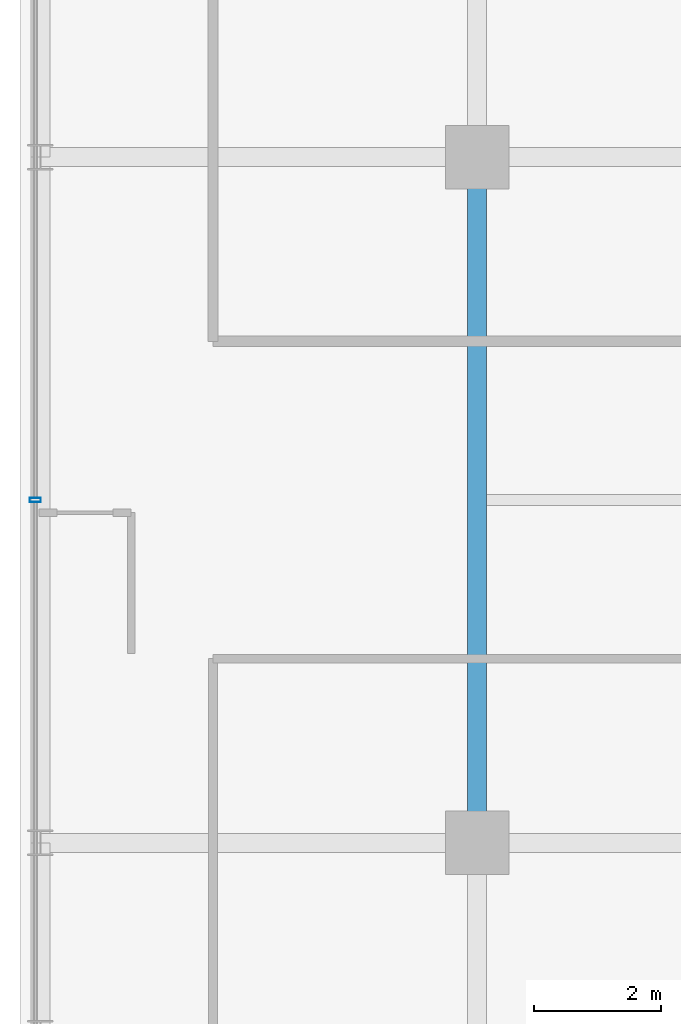
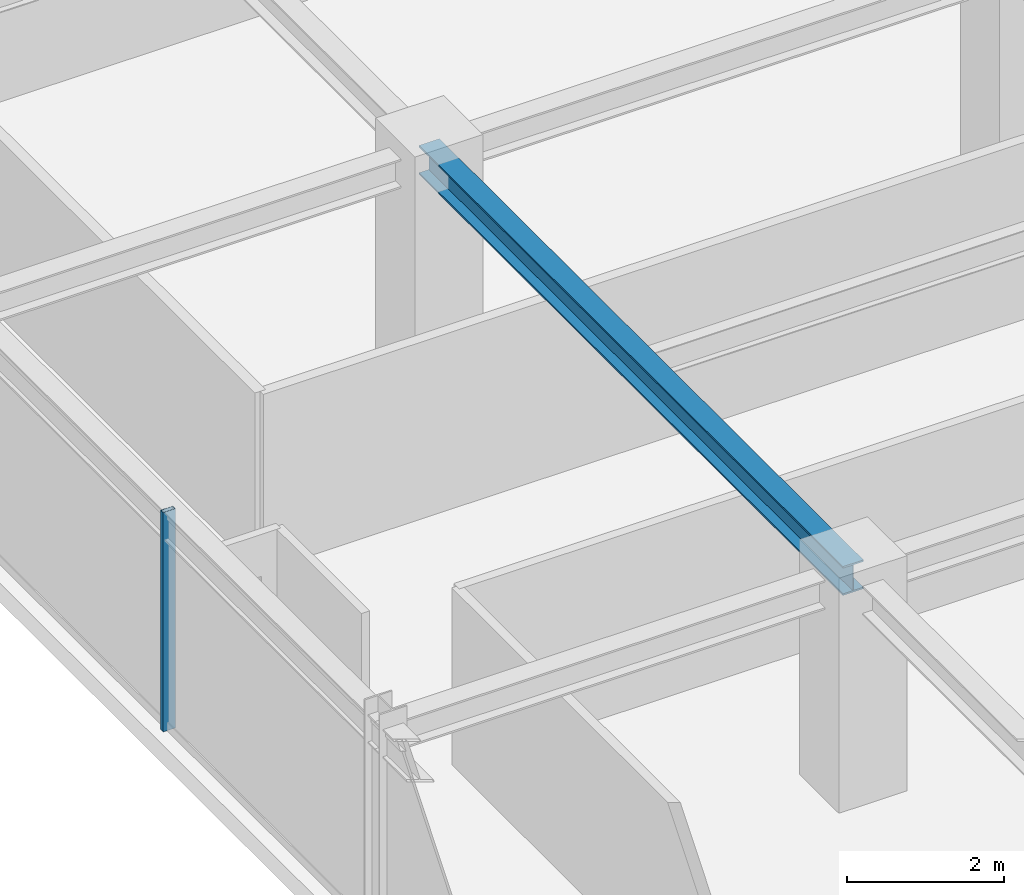
# One storey, part 10 of 36: 1 beam, 1 member, 1 element without a shape of its own.
"""IFC4 building model written with IfcOpenShell, lengths in metres."""

from ifc_helpers import new_model, si_unit, direction, frame, origin, origin_2d, place, context, subcontext, project, spatial, hollow_rectangle, i_section, extrude, source, transform, mapped, material, material_profile, profile_set, type_object, element, aggregate, save


model = new_model("IFC4")

# Units and contexts
model_context = context("Model", 3, precision=1e-05, world=origin(), true_north=direction((0.0, 1.0)))
body_context = subcontext(model_context, "Body", "Model", "MODEL_VIEW")
ifc_project = project(units=[si_unit("LENGTHUNIT", "METRE"), si_unit("AREAUNIT", "SQUARE_METRE"), si_unit("VOLUMEUNIT", "CUBIC_METRE"), si_unit("PLANEANGLEUNIT", "RADIAN"), si_unit("MASSUNIT", "GRAM", prefix="KILO")], contexts=[model_context])

# Site, building, storey
site_placement = place(None, origin())
site = spatial("IfcSite", under=ifc_project, at=site_placement, CompositionType="ELEMENT")
building_placement = place(site_placement, origin())
building = spatial("IfcBuilding", under=site, at=building_placement, Name="Nahalor Promenade Grand Hotel", CompositionType="ELEMENT")
storey_placement = place(building_placement, frame((0.0, 0.0, 219.699951171875)))
storey = spatial("IfcBuildingStorey", under=building, at=storey_placement, Name="L56", CompositionType="ELEMENT", Elevation=219.699951171875)

# Beam
ifc_material_1 = material(Name="Steel S355JR", Category="steel")
ifc_material_profile_1 = material_profile(ifc_material_1, i_section(OverallWidth=0.3, OverallDepth=0.45, WebThickness=0.014, FlangeThickness=0.026, at=origin_2d()), Name="HEB 450")
ifc_profile_set_1 = profile_set([ifc_material_profile_1], Name="Steel S355JR")
beam_type = type_object("IfcBeamType", Name="Beam-Girder-HEB450", PredefinedType="BEAM", material=ifc_profile_set_1)
shared_shape_1 = source(origin(), body_context, "Body", "SweptSolid", [
    extrude(i_section(OverallWidth=0.3, OverallDepth=0.45, WebThickness=0.014, FlangeThickness=0.026, at=origin_2d()), origin(), (0.0, 0.0, 1.0), 10.7998046875),
])
beam_placement = place(storey_placement, frame((-17.0, -5.39990234375, 3.18505859375), z_axis=(0.0, 1.0, 0.0), x_axis=(-1.0, 0.0, 0.0)))
element("IfcBeam", 1, at=beam_placement, inside=storey, type_object=beam_type, Name="BM-L56-GY-0-2", PredefinedType="BEAM", context=body_context, shape_type="MappedRepresentation", body=[
    mapped(shared_shape_1, transform((0.0, 0.0, 0.0), scale=1.0)),
])

# Curtain wall, member
ifc_material_2 = material(Name="Anodised Bronze Aluminium EN AW-6063 T6", Category="aluminium")
curtain_wall_type = type_object("IfcCurtainWallType", Name="CW2 Typical Hotel Flush Bronze Unitised Curtain Wall", PredefinedType="USERDEFINED", material=ifc_material_2)
curtain_wall_placement = place(storey_placement, origin())
curtain_wall = element("IfcCurtainWall", 2, at=curtain_wall_placement, inside=storey, type_object=curtain_wall_type, Name="L56 Curtain Wall CW-L56-W-1", ObjectType="UNITISED_CURTAIN_WALL", PredefinedType="USERDEFINED")
ifc_material_profile_2 = material_profile(ifc_material_2, hollow_rectangle(XDim=0.065, YDim=0.18, WallThickness=0.004, at=origin_2d()), Name="CWM 65x180x4")
ifc_profile_set_2 = profile_set([ifc_material_profile_2], Name="Anodised Bronze Aluminium EN AW-6063 T6")
member_type = type_object("IfcMemberType", Name="CWM2 Typical Bronze Mullion 65x180", PredefinedType="MULLION", material=ifc_profile_set_2)
shared_shape_2 = source(origin(), body_context, "Body", "SweptSolid", [
    extrude(hollow_rectangle(XDim=0.065, YDim=0.18, WallThickness=0.004, at=origin_2d()), origin(), (0.0, 0.0, 1.0), 3.41015625),
])
member_placement = place(storey_placement, frame((-23.9599609375, 0.0, 0.0), z_axis=(0.0, 0.0, 1.0), x_axis=(0.0, 1.0, 0.0)))
member = element("IfcMember", 3, at=member_placement, type_object=member_type, Name="CW-L56-W-1 Mullion 2", PredefinedType="MULLION", context=body_context, shape_type="MappedRepresentation", body=[
    mapped(shared_shape_2, transform((0.0, 0.0, 0.0), scale=1.0)),
])
aggregate(curtain_wall, [member])

save(model, "model.ifc")
